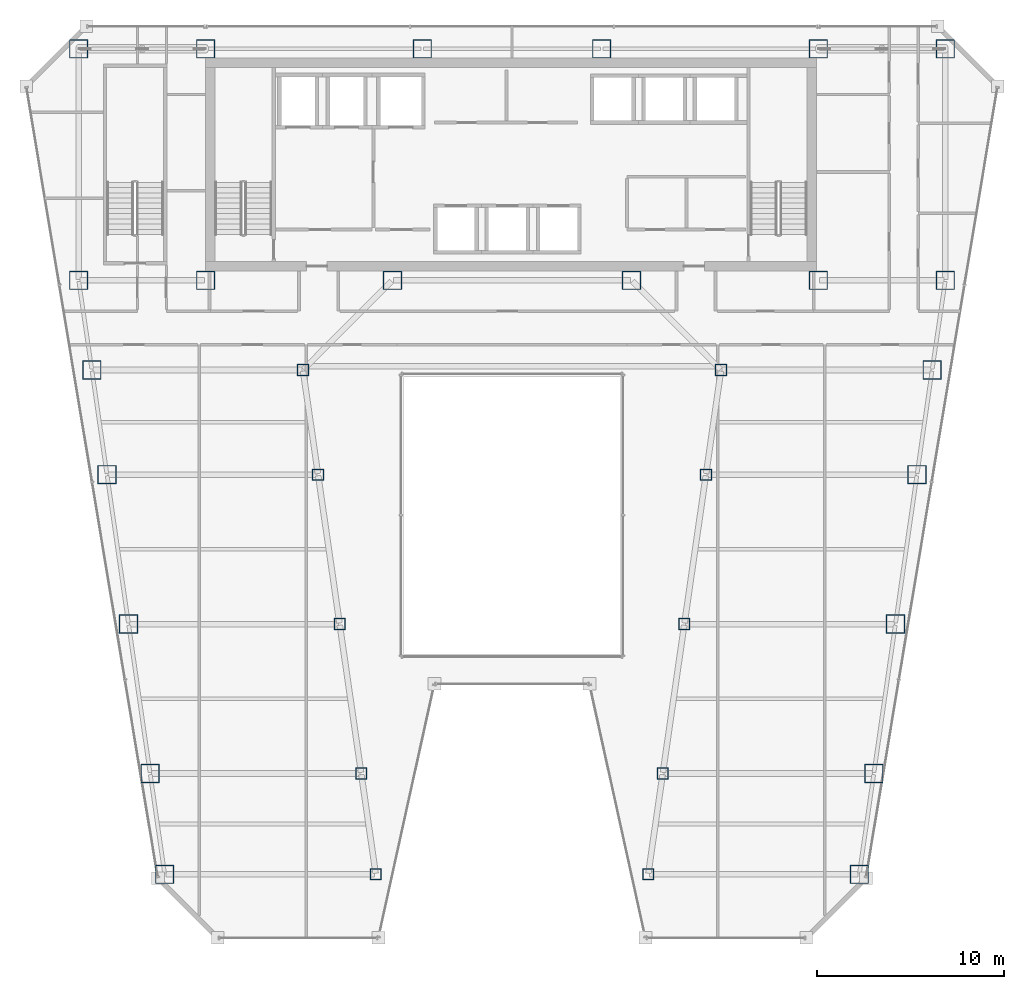
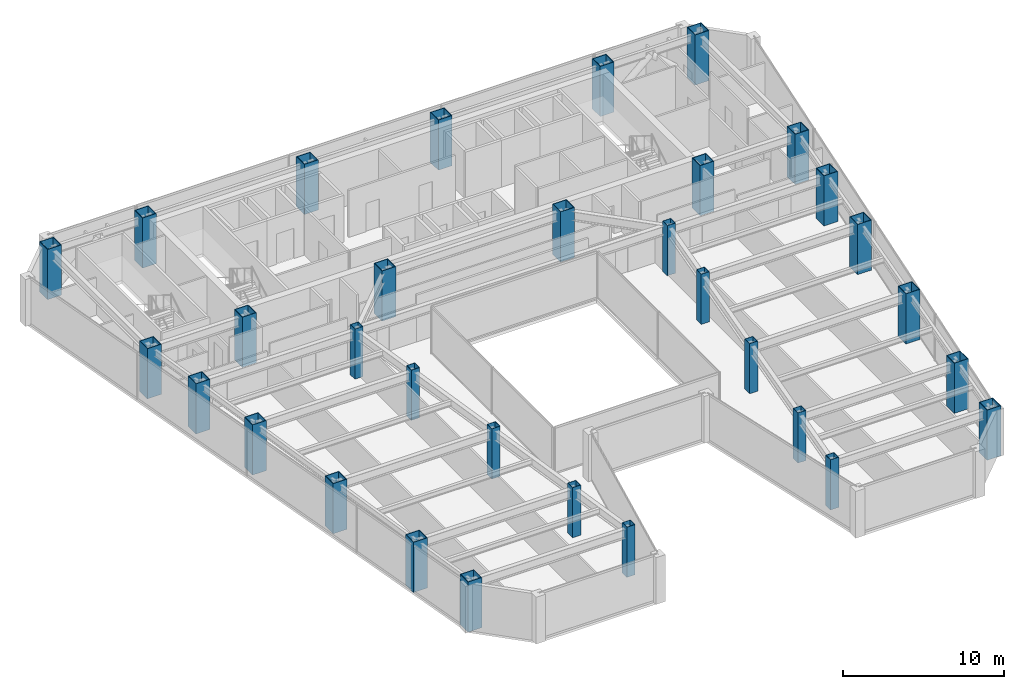
# One storey, part 1 of 38: 32 columns.
"""IFC4 building model written with IfcOpenShell, lengths in metres."""

from ifc_helpers import new_model, si_unit, direction, frame, origin, origin_2d, place, context, subcontext, project, spatial, hollow_rectangle, extrude, material, material_profile, profile_set, type_object, element, save


model = new_model("IFC4")

# Units and contexts
model_context = context("Model", 3, precision=1e-05, world=origin(), true_north=direction((0.0, 1.0)))
body_context = subcontext(model_context, "Body", "Model", "MODEL_VIEW")
ifc_project = project(units=[si_unit("LENGTHUNIT", "METRE"), si_unit("AREAUNIT", "SQUARE_METRE"), si_unit("VOLUMEUNIT", "CUBIC_METRE"), si_unit("PLANEANGLEUNIT", "RADIAN"), si_unit("MASSUNIT", "GRAM", prefix="KILO")], contexts=[model_context])

# Site, building, storey
site_placement = place(None, origin())
site = spatial("IfcSite", under=ifc_project, at=site_placement, CompositionType="ELEMENT")
building_placement = place(site_placement, origin())
building = spatial("IfcBuilding", under=site, at=building_placement, Name="Saevonmaru Cultural Tower", CompositionType="ELEMENT")
storey_placement = place(building_placement, frame((0.0, 0.0, 137.199951171875)))
storey = spatial("IfcBuildingStorey", under=building, at=storey_placement, Name="L29", CompositionType="ELEMENT", Elevation=137.199951171875)

# Columns
ifc_material_1 = material(Name="Steel SM420", Category="steel")
ifc_material_profile_1 = material_profile(ifc_material_1, hollow_rectangle(XDim=1.0, YDim=1.0, WallThickness=0.044921875, at=origin_2d()), Name="BOX-1000x1000x45")
ifc_profile_set_1 = profile_set([ifc_material_profile_1], Name="Steel SM420")
column_type_1 = type_object("IfcColumnType", Name="COL-BOX-1000", PredefinedType="COLUMN", material=ifc_profile_set_1)
for number, where, z_axis, x_axis, name in (
    (1, (6.800048828125, 54.800048828125, 0.0), (0.0, 0.0, 1.0), (1.0, 0.0, 0.0), "L29 Column TC-N1N"),
    (2, (13.60009765625, 54.800048828125, 0.0), (0.0, 0.0, 1.0), (1.0, 0.0, 0.0), "L29 Column TC-N2N"),
    (3, (25.199951171875, 54.800048828125, 0.0), (0.0, 0.0, 1.0), (1.0, 0.0, 0.0), "L29 Column TC-N3N"),
    (4, (34.800048828125, 54.800048828125, 0.0), (0.0, 0.0, 1.0), (1.0, 0.0, 0.0), "L29 Column TC-N4N"),
    (5, (46.39990234375, 54.800048828125, 0.0), (0.0, 0.0, 1.0), (1.0, 0.0, 0.0), "L29 Column TC-N5N"),
    (6, (53.199951171875, 54.800048828125, 0.0), (0.0, 0.0, 1.0), (1.0, 0.0, 0.0), "L29 Column TC-N6N"),
    (7, (6.800048828125, 42.39990234375, 0.0), (0.0, 0.0, 1.0), (1.0, 0.0, 0.0), "L29 Column TC-S1C"),
    (8, (13.60009765625, 42.39990234375, 0.0), (0.0, 0.0, 1.0), (1.0, 0.0, 0.0), "L29 Column TC-S2C"),
    (9, (23.60009765625, 42.39990234375, 0.0), (0.0, 0.0, 1.0), (1.0, 0.0, 0.0), "L29 Column TC-S3C"),
    (10, (36.39990234375, 42.39990234375, 0.0), (0.0, 0.0, 1.0), (1.0, 0.0, 0.0), "L29 Column TC-S4C"),
    (11, (46.39990234375, 42.39990234375, 0.0), (0.0, 0.0, 1.0), (1.0, 0.0, 0.0), "L29 Column TC-S5C"),
    (12, (53.199951171875, 42.39990234375, 0.0), (0.0, 0.0, 1.0), (1.0, 0.0, 0.0), "L29 Column TC-S6C"),
    (13, (11.407958984375, 10.60009765625, 0.0), (0.0, 0.0, 1.0), (1.0, 0.0, 0.0), "L29 Column TC-WO-Y106"),
    (14, (48.592041015625, 10.60009765625, 0.0), (0.0, 0.0, 1.0), (1.0, 0.0, 0.0), "L29 Column TC-EO-Y106"),
    (15, (10.6279296875, 16.0, 0.0), (0.0, 0.0, 1.0), (1.0, 0.0, 0.0), "L29 Column TC-WO-Y160"),
    (16, (49.3720703125, 16.0, 0.0), (0.0, 0.0, 1.0), (1.0, 0.0, 0.0), "L29 Column TC-EO-Y160"),
    (17, (9.471923828125, 24.0, 0.0), (0.0, 0.0, 1.0), (1.0, 0.0, 0.0), "L29 Column TC-WO-Y240"),
    (18, (50.528076171875, 24.0, 0.0), (0.0, 0.0, 1.0), (1.0, 0.0, 0.0), "L29 Column TC-EO-Y240"),
    (19, (8.31689453125, 32.0, 0.0), (0.0, 0.0, 1.0), (1.0, 0.0, 0.0), "L29 Column TC-WO-Y320"),
    (20, (51.68310546875, 32.0, 0.0), (0.0, 0.0, 1.0), (1.0, 0.0, 0.0), "L29 Column TC-EO-Y320"),
    (21, (7.508056640625, 37.60009765625, 0.0), (0.0, 0.0, 1.0), (1.0, 0.0, 0.0), "L29 Column TC-WO-Y376"),
    (22, (52.491943359375, 37.60009765625, 0.0), (0.0, 0.0, 1.0), (1.0, 0.0, 0.0), "L29 Column TC-EO-Y376"),
):
    element("IfcColumn", number, at=place(storey_placement, frame(where, z_axis=z_axis, x_axis=x_axis)), inside=storey, type_object=column_type_1, Name=name, PredefinedType="COLUMN", context=body_context, shape_type="SweptSolid", body=[
        extrude(hollow_rectangle(XDim=1.0, YDim=1.0, WallThickness=0.044921875, at=origin_2d()), origin(), (0.0, 0.0, 1.0), 3.800048828125),
    ])
ifc_material_2 = material(Name="Steel SM355", Category="steel")
ifc_material_profile_2 = material_profile(ifc_material_2, hollow_rectangle(XDim=0.60009765625, YDim=0.60009765625, WallThickness=0.028076171875, at=origin_2d()), Name="BOX-600x600x28")
ifc_profile_set_2 = profile_set([ifc_material_profile_2], Name="Steel SM355")
column_type_2 = type_object("IfcColumnType", Name="COL-BOX-600", PredefinedType="COLUMN", material=ifc_profile_set_2)
for number, where, z_axis, x_axis, name in (
    (23, (22.7080078125, 10.60009765625, 0.0), (0.0, 0.0, 1.0), (1.0, 0.0, 0.0), "L29 Column TC-WI-Y106"),
    (24, (37.2919921875, 10.60009765625, 0.0), (0.0, 0.0, 1.0), (1.0, 0.0, 0.0), "L29 Column TC-EI-Y106"),
    (25, (21.927978515625, 16.0, 0.0), (0.0, 0.0, 1.0), (1.0, 0.0, 0.0), "L29 Column TC-WI-Y160"),
    (26, (38.072021484375, 16.0, 0.0), (0.0, 0.0, 1.0), (1.0, 0.0, 0.0), "L29 Column TC-EI-Y160"),
    (27, (20.77197265625, 24.0, 0.0), (0.0, 0.0, 1.0), (1.0, 0.0, 0.0), "L29 Column TC-WI-Y240"),
    (28, (39.22802734375, 24.0, 0.0), (0.0, 0.0, 1.0), (1.0, 0.0, 0.0), "L29 Column TC-EI-Y240"),
    (29, (19.616943359375, 32.0, 0.0), (0.0, 0.0, 1.0), (1.0, 0.0, 0.0), "L29 Column TC-WI-Y320"),
    (30, (40.383056640625, 32.0, 0.0), (0.0, 0.0, 1.0), (1.0, 0.0, 0.0), "L29 Column TC-EI-Y320"),
    (31, (18.80810546875, 37.60009765625, 0.0), (0.0, 0.0, 1.0), (1.0, 0.0, 0.0), "L29 Column TC-WI-Y376"),
    (32, (41.19189453125, 37.60009765625, 0.0), (0.0, 0.0, 1.0), (1.0, 0.0, 0.0), "L29 Column TC-EI-Y376"),
):
    element("IfcColumn", number, at=place(storey_placement, frame(where, z_axis=z_axis, x_axis=x_axis)), inside=storey, type_object=column_type_2, Name=name, PredefinedType="COLUMN", context=body_context, shape_type="SweptSolid", body=[
        extrude(hollow_rectangle(XDim=0.60009765625, YDim=0.60009765625, WallThickness=0.028076171875, at=origin_2d()), origin(), (0.0, 0.0, 1.0), 3.800048828125),
    ])

save(model, "model.ifc")
